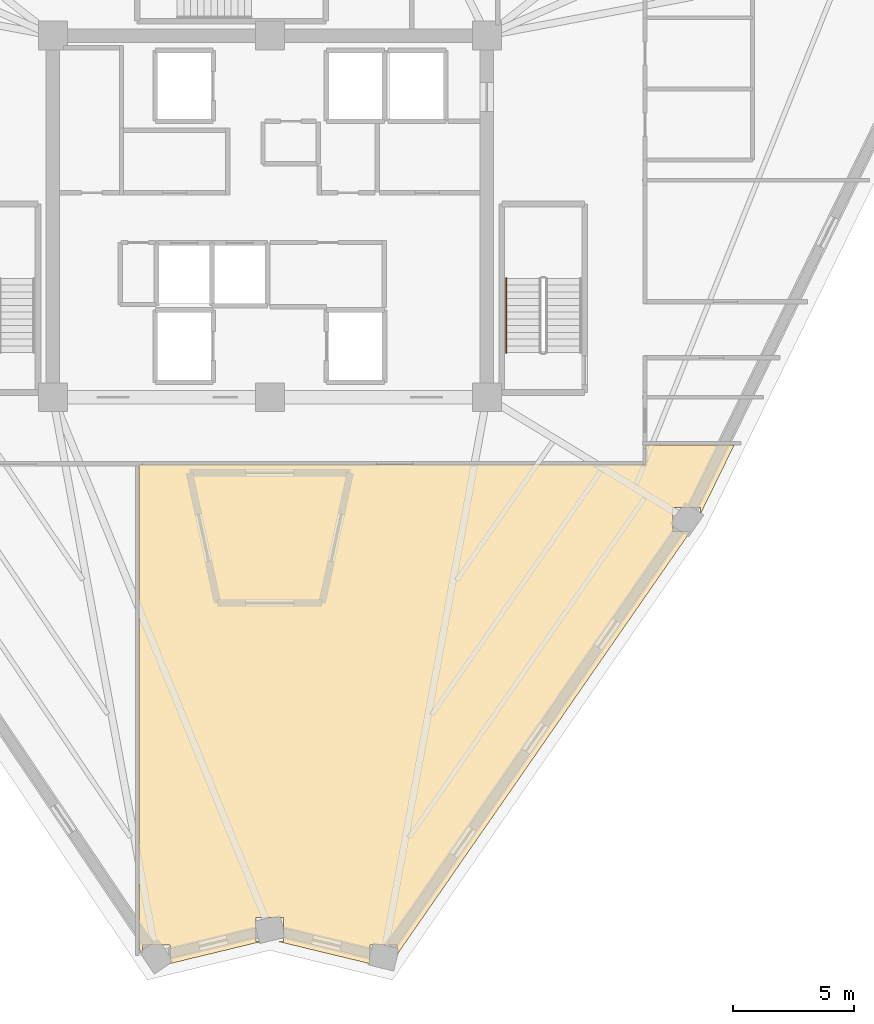
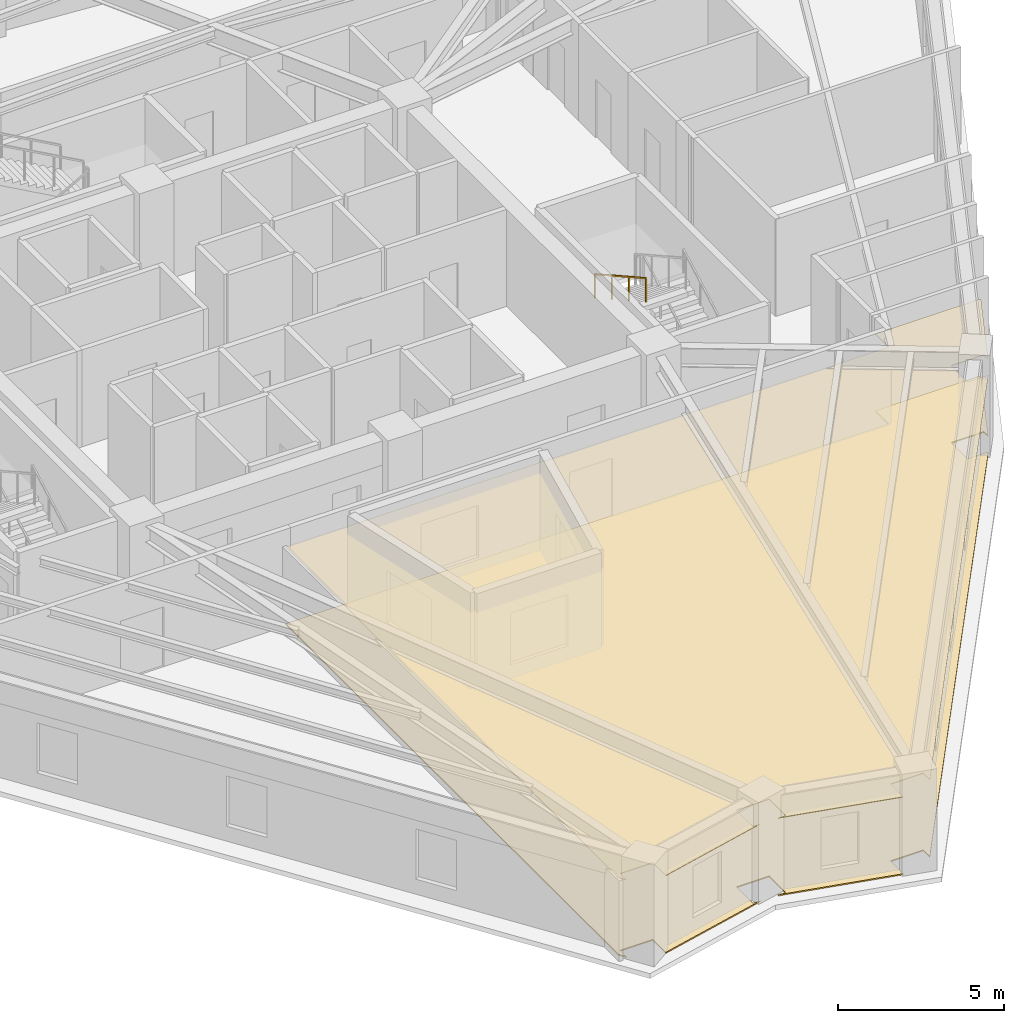
# One storey, part 9 of 10: 2 coverings, 1 railing.
"""IFC4 building model written with IfcOpenShell, lengths in metres."""

import ifcopenshell
import ifcopenshell.guid

model = None  # the IFC model being written
_history = None  # IfcOwnerHistory: only IFC2X3 demands one
_inside = {}  # id of a spatial element -> (the spatial element, [elements in it])
_under = {}  # id of a project, library or spatial element -> (it, [spatial elements below it])
_declared = {}  # id of a project -> (the project, [libraries it declares])
_typed = {}  # id of a type object -> (the type object, [elements of that type])
_made_of = {}  # id of a material, layer set ... -> (it, [elements and type objects made of it])


def new_model(schema):
    """Start an empty IFC model of exactly this schema.

    Asked for "IFC4X3", IfcOpenShell would pick the latest addendum, in which some entities
    have other attributes; the version numbers below select the first issue.
    IFC2X3 requires an IfcOwnerHistory on every rooted entity: one is made here for all.
    """
    global model, _history
    if schema == "IFC4X3":
        model = ifcopenshell.file(schema_version=(4, 3, 0, 0))
    else:
        model = ifcopenshell.file(schema=schema)
    _inside.clear()
    _under.clear()
    _declared.clear()
    _typed.clear()
    _made_of.clear()
    _history = None
    if model.schema == "IFC2X3":
        org = make("IfcOrganization", Name="unknown")
        user = make(
            "IfcPersonAndOrganization",
            ThePerson=make("IfcPerson", FamilyName="unknown"),
            TheOrganization=org,
        )
        app = make(
            "IfcApplication",
            ApplicationDeveloper=org,
            Version="unknown",
            ApplicationFullName="unknown",
            ApplicationIdentifier="unknown",
        )
        _history = make(
            "IfcOwnerHistory",
            OwningUser=user,
            OwningApplication=app,
            ChangeAction="ADDED",
            CreationDate=0,
        )
    return model


def make(cls, **values):
    """One entity of the class cls with the attributes given. An attribute that is None is left unset."""
    return model.create_entity(
        cls, **{name: value for name, value in values.items() if value is not None}
    )


def rooted(cls, **values):
    """An entity with a GlobalId (a new one), such as an element, a storey or a relation."""
    return make(cls, GlobalId=ifcopenshell.guid.new(), OwnerHistory=_history, **values)


def si_unit(unit_type, name, prefix=None):
    """IfcSIUnit, for example si_unit("LENGTHUNIT", "METRE", prefix="MILLI")."""
    return make("IfcSIUnit", UnitType=unit_type, Prefix=prefix, Name=name)


def assignment(units):
    """IfcUnitAssignment: the units of a project."""
    return None if units is None else make("IfcUnitAssignment", Units=units)


def point(xyz):
    """IfcCartesianPoint."""
    return None if xyz is None else make("IfcCartesianPoint", Coordinates=xyz)


def direction(xyz):
    """IfcDirection."""
    return None if xyz is None else make("IfcDirection", DirectionRatios=xyz)


def frame(location, z_axis=None, x_axis=None):
    """IfcAxis2Placement3D, a coordinate frame: its origin and axes. An axis left out is left unset."""
    return make(
        "IfcAxis2Placement3D",
        Location=point(location),
        Axis=direction(z_axis),
        RefDirection=direction(x_axis),
    )


def frame_2d(location, x_axis=None):
    """IfcAxis2Placement2D, a coordinate frame in the plane: its origin and x axis."""
    return make(
        "IfcAxis2Placement2D", Location=point(location), RefDirection=direction(x_axis)
    )


def origin():
    """The frame at (0, 0, 0) with its axes left unset."""
    return frame((0.0, 0.0, 0.0))


def origin_2d():
    """The frame at (0, 0) in the plane with its x axis left unset."""
    return frame_2d((0.0, 0.0))


def place(relative_to, where):
    """IfcLocalPlacement: puts the frame where relative to a parent placement (None: the world)."""
    return make(
        "IfcLocalPlacement", PlacementRelTo=relative_to, RelativePlacement=where
    )


def context(
    kind, dimensions, precision=None, world=None, true_north=None, identifier=None
):
    """IfcGeometricRepresentationContext, for example the 3D "Model" context."""
    return make(
        "IfcGeometricRepresentationContext",
        ContextIdentifier=identifier,
        ContextType=kind,
        CoordinateSpaceDimension=dimensions,
        Precision=precision,
        WorldCoordinateSystem=world,
        TrueNorth=true_north,
    )


def subcontext(parent, identifier, kind, view, scale=None):
    """IfcGeometricRepresentationSubContext, for example "Body" below "Model"."""
    return make(
        "IfcGeometricRepresentationSubContext",
        ContextIdentifier=identifier,
        ContextType=kind,
        ParentContext=parent,
        TargetScale=scale,
        TargetView=view,
    )


def project(units=None, contexts=None):
    """IfcProject with its units and contexts."""
    return rooted(
        "IfcProject",
        Name="project",
        RepresentationContexts=contexts,
        UnitsInContext=assignment(units),
    )


def spatial(cls, under=None, at=None, **own):
    """A site, building, storey or space (cls), placed at a placement, below another one or the project."""
    s = rooted(cls, ObjectPlacement=at, **own)
    if under is not None:
        _under.setdefault(under.id(), (under, []))[1].append(s)
    return s


def polyline(points):
    """IfcPolyline through the points."""
    return make("IfcPolyline", Points=[point(p) for p in points])


def profile(cls, at=None, kind="AREA", **sizes):
    """A parametric profile (cls). Its sizes go by their IFC names, for example OverallWidth=200.0."""
    return make(cls, ProfileType=kind, Position=at, **sizes)


def rectangle(**sizes):
    """IfcRectangleProfileDef."""
    return profile("IfcRectangleProfileDef", **sizes)


def outline(outer, holes=None, kind="AREA"):
    """IfcArbitraryClosedProfileDef: a profile drawn as a closed curve; with holes, ...WithVoids."""
    if holes is None:
        return make("IfcArbitraryClosedProfileDef", ProfileType=kind, OuterCurve=outer)
    return make(
        "IfcArbitraryProfileDefWithVoids",
        ProfileType=kind,
        OuterCurve=outer,
        InnerCurves=holes,
    )


def extrude(swept, where, along, depth):
    """IfcExtrudedAreaSolid: the profile swept, set in the frame where, extruded along a direction by depth."""
    return make(
        "IfcExtrudedAreaSolid",
        SweptArea=swept,
        Position=where,
        ExtrudedDirection=direction(along),
        Depth=depth,
    )


def shape(context_of_items, identifier, shape_type, items):
    """IfcShapeRepresentation: the items that make up one representation, for example the "Body"."""
    return make(
        "IfcShapeRepresentation",
        ContextOfItems=context_of_items,
        RepresentationIdentifier=identifier,
        RepresentationType=shape_type,
        Items=items,
    )


def material(Name=None, Category=None):
    """IfcMaterial."""
    return make("IfcMaterial", Name=Name, Category=Category)


def layer(
    of_material, thickness, ventilated=None, Name=None, Category=None, Priority=None
):
    """IfcMaterialLayer: one layer of a wall or slab, of a material (None: an air gap)."""
    return make(
        "IfcMaterialLayer",
        Material=of_material,
        LayerThickness=thickness,
        IsVentilated=ventilated,
        Name=Name,
        Category=Category,
        Priority=Priority,
    )


def layer_set(layers, Name=None):
    """IfcMaterialLayerSet."""
    return make("IfcMaterialLayerSet", MaterialLayers=layers, LayerSetName=Name)


def made_of(thing, what):
    """Note that an element or type object is made of a material, layer set ...; save() writes the relation."""
    if what is not None:
        _made_of.setdefault(what.id(), (what, []))[1].append(thing)
    return thing


def type_object(cls, material=None, **own):
    """A type object (cls), such as IfcWallType, which elements share."""
    return made_of(rooted(cls, **own), material)


def element(
    cls,
    number,
    at=None,
    inside=None,
    cuts=None,
    type_object=None,
    material=None,
    context=None,
    identifier="Body",
    shape_type=None,
    held_by="IfcProductDefinitionShape",
    body=None,
    shapes=None,
    **own,
):
    """One element of the class cls, such as IfcWall. Its Tag is "e" and its number.

    at: its placement. inside: the storey or other place that contains it. cuts: it is an
    opening in that element (IfcRelVoidsElement). A single representation is given by context,
    identifier, shape_type and body (its items); several are given by shapes. held_by: the class
    of the entity that holds the representations. save() writes the other relations.
    """
    e = rooted(cls, Tag="e%d" % number, ObjectPlacement=at, **own)
    if body is not None:
        shapes = [shape(context, identifier, shape_type, body)]
    if shapes is not None:
        e.Representation = make(held_by, Representations=shapes)
    if inside is not None:
        _inside.setdefault(inside.id(), (inside, []))[1].append(e)
    if cuts is not None:
        rooted(
            "IfcRelVoidsElement", RelatingBuildingElement=cuts, RelatedOpeningElement=e
        )
    if type_object is not None:
        _typed.setdefault(type_object.id(), (type_object, []))[1].append(e)
    return made_of(e, material)


def aggregate(whole, parts):
    """IfcRelAggregates: a whole, such as a stair, and the parts it consists of."""
    return rooted("IfcRelAggregates", RelatingObject=whole, RelatedObjects=parts)


def save(model, path):
    """Write the relations noted so far, then the file.

    IfcRelAggregates (storeys below a building ...), IfcRelContainedInSpatialStructure (elements
    in a storey), IfcRelDefinesByType, IfcRelAssociatesMaterial and IfcRelDeclares: one each for
    every whole, place, type object, material and project.
    """
    for whole, parts in _under.values():
        aggregate(whole, parts)
    for where, things in _inside.values():
        rooted(
            "IfcRelContainedInSpatialStructure",
            RelatedElements=things,
            RelatingStructure=where,
        )
    for kind, things in _typed.values():
        rooted("IfcRelDefinesByType", RelatedObjects=things, RelatingType=kind)
    for what, things in _made_of.values():
        rooted("IfcRelAssociatesMaterial", RelatedObjects=things, RelatingMaterial=what)
    for by, libraries in _declared.values():
        rooted("IfcRelDeclares", RelatingContext=by, RelatedDefinitions=libraries)
    model.write(path)


model = new_model("IFC4")

# Units and contexts
model_context = context("Model", 3, precision=1e-05, world=origin(), true_north=direction((0.0, 1.0)))
body_context = subcontext(model_context, "Body", "Model", "MODEL_VIEW")
ifc_project = project(units=[si_unit("LENGTHUNIT", "METRE"), si_unit("AREAUNIT", "SQUARE_METRE"), si_unit("VOLUMEUNIT", "CUBIC_METRE"), si_unit("PLANEANGLEUNIT", "RADIAN"), si_unit("MASSUNIT", "GRAM", prefix="KILO")], contexts=[model_context])

# Site, building, storey
site_placement = place(None, origin())
site = spatial("IfcSite", under=ifc_project, at=site_placement, CompositionType="ELEMENT")
building_placement = place(site_placement, origin())
building = spatial("IfcBuilding", under=site, at=building_placement, Name="Liaohun Quay Tower", CompositionType="ELEMENT")
storey_placement = place(building_placement, frame((0.0, 0.0, 339.75)))
storey = spatial("IfcBuildingStorey", under=building, at=storey_placement, Name="L88", CompositionType="ELEMENT", Elevation=339.75)

# Coverings
ifc_material_1 = material(Name="Mineral-fibre acoustic ceiling tile")
ifc_layer_1 = layer(ifc_material_1, 0.02490234375, Name="Mineral-fibre acoustic ceiling tile")
ifc_layer_set_1 = layer_set([ifc_layer_1], Name="Mineral-fibre acoustic ceiling tile")
covering_type_1 = type_object("IfcCoveringType", Name="COV-CEIL-ACT", PredefinedType="CEILING", material=ifc_layer_set_1)
covering_1_placement = place(storey_placement, frame((0.0, 0.0, 2.85009765625)))
element("IfcCovering", 1, at=covering_1_placement, inside=storey, type_object=covering_type_1, Name="L88 Corporate Exhibition Gallery 08 Acoustic Ceiling", PredefinedType="CEILING", context=body_context, shape_type="SweptSolid", body=[
    extrude(outline(polyline([(75.580078125, 43.719970703125), (54.574951171875, 43.719970703125), (54.574951171875, 23.6259765625), (54.722900390625, 23.406005859375), (54.722900390625, 23.7890625), (55.863037109375, 23.7890625), (55.863037109375, 23.010009765625), (59.695068359375, 23.93603515625), (59.429931640625, 23.93603515625), (59.429931640625, 24.926025390625), (60.570068359375, 24.926025390625), (60.570068359375, 23.93603515625), (60.304931640625, 23.93603515625), (64.14501953125, 23.008056640625), (64.14501953125, 23.787109375), (65.284912109375, 23.787109375), (65.284912109375, 23.39404296875), (77.451904296875, 40.93896484375), (76.72705078125, 40.93896484375), (76.72705078125, 41.928955078125), (77.866943359375, 41.928955078125), (77.866943359375, 41.66796875), (79.262939453125, 44.52490234375), (75.580078125, 44.52490234375), (75.580078125, 43.719970703125)])), origin(), (0.0, 0.0, 1.0), 0.02490234375),
])
ifc_material_2 = material(Name="Calcium-sulphate raised access floor tile")
ifc_layer_2 = layer(ifc_material_2, 0.044921875, Name="Calcium-sulphate raised access floor tile")
ifc_layer_set_2 = layer_set([ifc_layer_2], Name="Calcium-sulphate raised access floor tile")
covering_type_2 = type_object("IfcCoveringType", Name="COV-FLR-RAF", PredefinedType="FLOORING", material=ifc_layer_set_2)
covering_2_placement = place(storey_placement, origin())
element("IfcCovering", 2, at=covering_2_placement, inside=storey, type_object=covering_type_2, Name="L88 Corporate Exhibition Gallery 08 Floor Finish", PredefinedType="FLOORING", context=body_context, shape_type="SweptSolid", body=[
    extrude(outline(polyline([(75.580078125, 43.719970703125), (54.574951171875, 43.719970703125), (54.574951171875, 23.6259765625), (54.722900390625, 23.406005859375), (54.722900390625, 23.7890625), (55.863037109375, 23.7890625), (55.863037109375, 23.010009765625), (59.695068359375, 23.93603515625), (59.429931640625, 23.93603515625), (59.429931640625, 24.926025390625), (60.570068359375, 24.926025390625), (60.570068359375, 23.93603515625), (60.304931640625, 23.93603515625), (64.14501953125, 23.008056640625), (64.14501953125, 23.787109375), (65.284912109375, 23.787109375), (65.284912109375, 23.39404296875), (77.451904296875, 40.93896484375), (76.72705078125, 40.93896484375), (76.72705078125, 41.928955078125), (77.866943359375, 41.928955078125), (77.866943359375, 41.66796875), (79.262939453125, 44.52490234375), (75.580078125, 44.52490234375), (75.580078125, 43.719970703125)])), origin(), (0.0, 0.0, 1.0), 0.044921875),
])

# Railing
ifc_material_3 = material(Name="Brushed stainless steel", Category="steel")
railing_type = type_object("IfcRailingType", Name="RLG-HND-STR", PredefinedType="HANDRAIL", material=ifc_material_3)
railing_placement = place(storey_placement, frame((69.800048828125, 51.429931640625, 2.03125)))
element("IfcRailing", 3, at=railing_placement, inside=storey, type_object=railing_type, Name="L88 ST-2 stair handrail 2", PredefinedType="HANDRAIL", context=body_context, shape_type="SweptSolid", body=[
    extrude(rectangle(XDim=0.048095703125, YDim=0.048095703125, at=origin_2d()), frame((0.0, 0.0, 0.8759765625), z_axis=(0.0, -0.873225103656, 0.487317061414), x_axis=(1.0, 0.0, 0.0)), (0.0, 0.0, 1.0), 3.52685546875),
    extrude(rectangle(XDim=0.0419921875, YDim=0.0419921875, at=origin_2d()), origin(), (0.0, 0.0, 1.0), 0.851806640625),
    extrude(rectangle(XDim=0.0419921875, YDim=0.0419921875, at=origin_2d()), frame((0.0, -1.026611328125, 0.572998046875)), (0.0, 0.0, 1.0), 0.851806640625),
    extrude(rectangle(XDim=0.0419921875, YDim=0.0419921875, at=origin_2d()), frame((0.0, -2.05322265625, 1.145751953125)), (0.0, 0.0, 1.0), 0.851806640625),
    extrude(rectangle(XDim=0.0419921875, YDim=0.0419921875, at=origin_2d()), frame((0.0, -3.079833984375, 1.71875)), (0.0, 0.0, 1.0), 0.851806640625),
])

save(model, "model.ifc")
